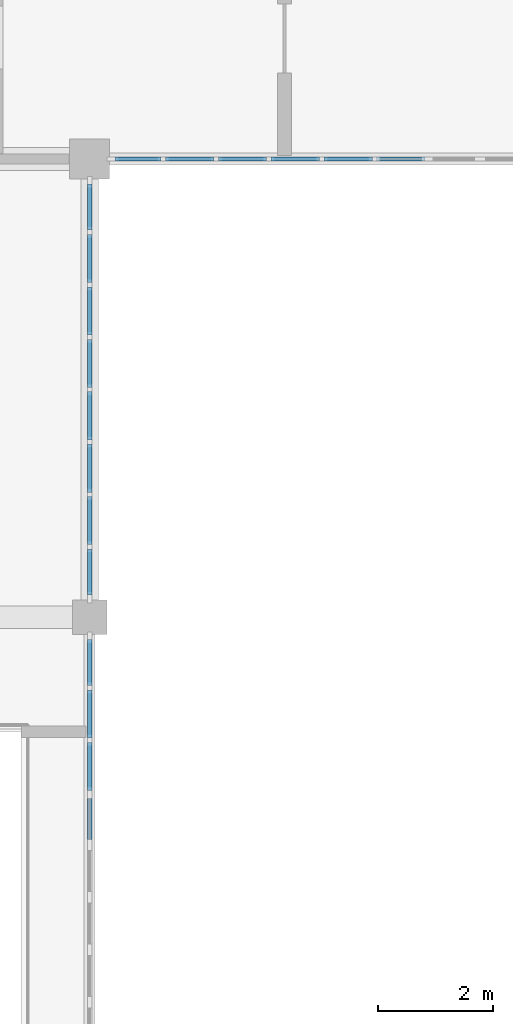
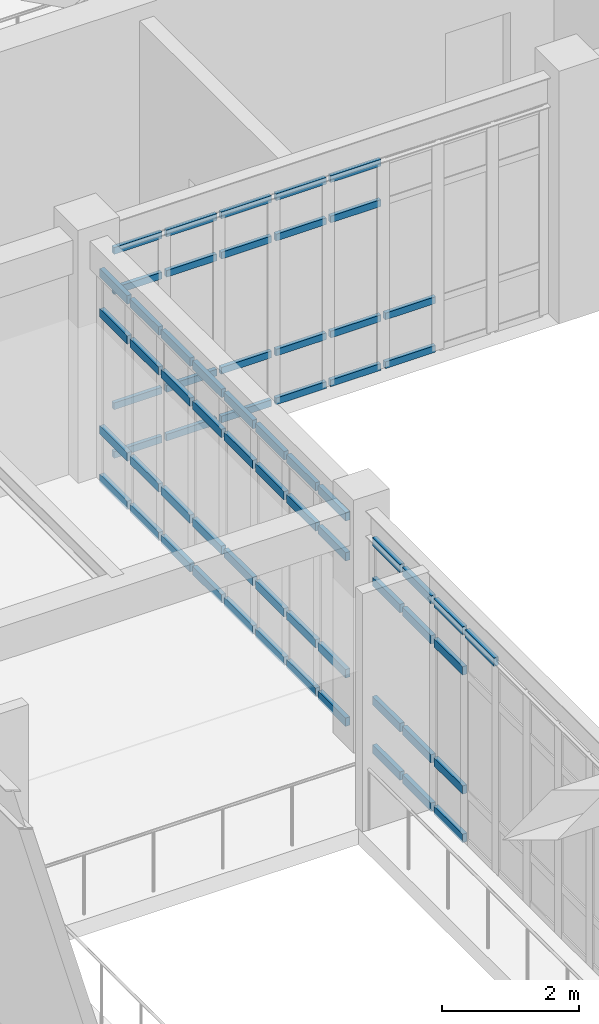
# One storey, part 27 of 67: 67 members, 3 elements without a shape of their own.
"""IFC4 building model written with IfcOpenShell, lengths in metres."""

from ifc_helpers import new_model, si_unit, direction, frame, origin, origin_2d, place, context, subcontext, project, spatial, rectangle, extrude, material, material_profile, profile_set, type_object, element, aggregate, save


model = new_model("IFC4")

# Units and contexts
model_context = context("Model", 3, precision=1e-05, world=origin(), true_north=direction((0.0, 1.0)))
body_context = subcontext(model_context, "Body", "Model", "MODEL_VIEW")
ifc_project = project(units=[si_unit("LENGTHUNIT", "METRE"), si_unit("AREAUNIT", "SQUARE_METRE"), si_unit("VOLUMEUNIT", "CUBIC_METRE"), si_unit("PLANEANGLEUNIT", "RADIAN"), si_unit("MASSUNIT", "GRAM", prefix="KILO")], contexts=[model_context])

# Site, building, storey
site_placement = place(None, origin())
site = spatial("IfcSite", under=ifc_project, at=site_placement, CompositionType="ELEMENT")
building_placement = place(site_placement, origin())
building = spatial("IfcBuilding", under=site, at=building_placement, Name="Tarnveldt Square Police Headquarters", CompositionType="ELEMENT")
storey_placement = place(building_placement, frame((0.0, 0.0, 10.199951171875)))
storey = spatial("IfcBuildingStorey", under=building, at=storey_placement, Name="L02", CompositionType="ELEMENT", Elevation=10.199951171875)

# Curtain wall, members
ifc_material_1 = material(Name="Triple-glazed low-e laminated vision glass", Category="glass")
curtain_wall_type_1 = type_object("IfcCurtainWallType", Name="CW-LB-737x370", PredefinedType="USERDEFINED", material=ifc_material_1)
curtain_wall_1_placement = place(storey_placement, origin())
curtain_wall_1 = element("IfcCurtainWall", 1, at=curtain_wall_1_placement, inside=storey, type_object=curtain_wall_type_1, Name="L02 Curtain Wall CW-L02-112", ObjectType="GLAZED CURTAIN WALL", PredefinedType="USERDEFINED")
ifc_material_2 = material(Name="Thermally broken anodised aluminium 6063-T6", Category="aluminium")
ifc_material_profile_1 = material_profile(ifc_material_2, rectangle(XDim=0.06494140625, YDim=0.1201171875, at=origin_2d()), Name="CW-T65x120")
ifc_profile_set_1 = profile_set([ifc_material_profile_1], Name="Thermally broken anodised aluminium 6063-T6")
member_type_1 = type_object("IfcMemberType", Name="CWT-65x120", PredefinedType="USERDEFINED", material=ifc_profile_set_1)
member_1_placement = place(storey_placement, frame((49.0400390625, 96.0, 0.032470703125), z_axis=(1.0, 0.0, 0.0), x_axis=(0.0, 1.0, 0.0)))
member_1 = element("IfcMember", 2, at=member_1_placement, type_object=member_type_1, Name="CW-LB65 transom 1.1", ObjectType="TRANSOM", PredefinedType="USERDEFINED", context=body_context, shape_type="SweptSolid", body=[
    extrude(rectangle(XDim=0.06494140625, YDim=0.1201171875, at=origin_2d()), origin(), (0.0, 0.0, 1.0), 0.80859375),
])
member_2_placement = place(storey_placement, frame((49.0400390625, 96.0, 0.900146484375), z_axis=(1.0, 0.0, 0.0), x_axis=(0.0, 1.0, 0.0)))
member_2 = element("IfcMember", 3, at=member_2_placement, type_object=member_type_1, Name="CW-LB65 transom 1.2", ObjectType="TRANSOM", PredefinedType="USERDEFINED", context=body_context, shape_type="SweptSolid", body=[
    extrude(rectangle(XDim=0.06494140625, YDim=0.1201171875, at=origin_2d()), origin(), (0.0, 0.0, 1.0), 0.80859375),
])
member_3_placement = place(storey_placement, frame((49.0400390625, 96.0, 2.948974609375), z_axis=(1.0, 0.0, 0.0), x_axis=(0.0, 1.0, 0.0)))
member_3 = element("IfcMember", 4, at=member_3_placement, type_object=member_type_1, Name="CW-LB65 transom 1.3", ObjectType="TRANSOM", PredefinedType="USERDEFINED", context=body_context, shape_type="SweptSolid", body=[
    extrude(rectangle(XDim=0.06494140625, YDim=0.1201171875, at=origin_2d()), origin(), (0.0, 0.0, 1.0), 0.80859375),
])
member_4_placement = place(storey_placement, frame((49.0400390625, 96.0, 3.66650390625), z_axis=(1.0, 0.0, 0.0), x_axis=(0.0, 1.0, 0.0)))
member_4 = element("IfcMember", 5, at=member_4_placement, type_object=member_type_1, Name="CW-LB65 transom 1.4", ObjectType="TRANSOM", PredefinedType="USERDEFINED", context=body_context, shape_type="SweptSolid", body=[
    extrude(rectangle(XDim=0.06494140625, YDim=0.1201171875, at=origin_2d()), origin(), (0.0, 0.0, 1.0), 0.80859375),
])
member_5_placement = place(storey_placement, frame((49.923828125, 96.0, 0.032470703125), z_axis=(1.0, 0.0, 0.0), x_axis=(0.0, 1.0, 0.0)))
member_5 = element("IfcMember", 6, at=member_5_placement, type_object=member_type_1, Name="CW-LB65 transom 2.1", ObjectType="TRANSOM", PredefinedType="USERDEFINED", context=body_context, shape_type="SweptSolid", body=[
    extrude(rectangle(XDim=0.06494140625, YDim=0.1201171875, at=origin_2d()), origin(), (0.0, 0.0, 1.0), 0.84619140625),
])
member_6_placement = place(storey_placement, frame((49.923828125, 96.0, 0.900146484375), z_axis=(1.0, 0.0, 0.0), x_axis=(0.0, 1.0, 0.0)))
member_6 = element("IfcMember", 7, at=member_6_placement, type_object=member_type_1, Name="CW-LB65 transom 2.2", ObjectType="TRANSOM", PredefinedType="USERDEFINED", context=body_context, shape_type="SweptSolid", body=[
    extrude(rectangle(XDim=0.06494140625, YDim=0.1201171875, at=origin_2d()), origin(), (0.0, 0.0, 1.0), 0.84619140625),
])
member_7_placement = place(storey_placement, frame((49.923828125, 96.0, 2.948974609375), z_axis=(1.0, 0.0, 0.0), x_axis=(0.0, 1.0, 0.0)))
member_7 = element("IfcMember", 8, at=member_7_placement, type_object=member_type_1, Name="CW-LB65 transom 2.3", ObjectType="TRANSOM", PredefinedType="USERDEFINED", context=body_context, shape_type="SweptSolid", body=[
    extrude(rectangle(XDim=0.06494140625, YDim=0.1201171875, at=origin_2d()), origin(), (0.0, 0.0, 1.0), 0.84619140625),
])
member_8_placement = place(storey_placement, frame((49.923828125, 96.0, 3.66650390625), z_axis=(1.0, 0.0, 0.0), x_axis=(0.0, 1.0, 0.0)))
member_8 = element("IfcMember", 9, at=member_8_placement, type_object=member_type_1, Name="CW-LB65 transom 2.4", ObjectType="TRANSOM", PredefinedType="USERDEFINED", context=body_context, shape_type="SweptSolid", body=[
    extrude(rectangle(XDim=0.06494140625, YDim=0.1201171875, at=origin_2d()), origin(), (0.0, 0.0, 1.0), 0.84619140625),
])
member_9_placement = place(storey_placement, frame((50.844970703125, 96.0, 0.032470703125), z_axis=(1.0, 0.0, 0.0), x_axis=(0.0, 1.0, 0.0)))
member_9 = element("IfcMember", 10, at=member_9_placement, type_object=member_type_1, Name="CW-LB65 transom 3.1", ObjectType="TRANSOM", PredefinedType="USERDEFINED", context=body_context, shape_type="SweptSolid", body=[
    extrude(rectangle(XDim=0.06494140625, YDim=0.1201171875, at=origin_2d()), origin(), (0.0, 0.0, 1.0), 0.84619140625),
])
member_10_placement = place(storey_placement, frame((50.844970703125, 96.0, 0.900146484375), z_axis=(1.0, 0.0, 0.0), x_axis=(0.0, 1.0, 0.0)))
member_10 = element("IfcMember", 11, at=member_10_placement, type_object=member_type_1, Name="CW-LB65 transom 3.2", ObjectType="TRANSOM", PredefinedType="USERDEFINED", context=body_context, shape_type="SweptSolid", body=[
    extrude(rectangle(XDim=0.06494140625, YDim=0.1201171875, at=origin_2d()), origin(), (0.0, 0.0, 1.0), 0.84619140625),
])
member_11_placement = place(storey_placement, frame((50.844970703125, 96.0, 2.948974609375), z_axis=(1.0, 0.0, 0.0), x_axis=(0.0, 1.0, 0.0)))
member_11 = element("IfcMember", 12, at=member_11_placement, type_object=member_type_1, Name="CW-LB65 transom 3.3", ObjectType="TRANSOM", PredefinedType="USERDEFINED", context=body_context, shape_type="SweptSolid", body=[
    extrude(rectangle(XDim=0.06494140625, YDim=0.1201171875, at=origin_2d()), origin(), (0.0, 0.0, 1.0), 0.84619140625),
])
member_12_placement = place(storey_placement, frame((50.844970703125, 96.0, 3.66650390625), z_axis=(1.0, 0.0, 0.0), x_axis=(0.0, 1.0, 0.0)))
member_12 = element("IfcMember", 13, at=member_12_placement, type_object=member_type_1, Name="CW-LB65 transom 3.4", ObjectType="TRANSOM", PredefinedType="USERDEFINED", context=body_context, shape_type="SweptSolid", body=[
    extrude(rectangle(XDim=0.06494140625, YDim=0.1201171875, at=origin_2d()), origin(), (0.0, 0.0, 1.0), 0.84619140625),
])
member_13_placement = place(storey_placement, frame((51.766357421875, 96.0, 0.032470703125), z_axis=(1.0, 0.0, 0.0), x_axis=(0.0, 1.0, 0.0)))
member_13 = element("IfcMember", 14, at=member_13_placement, type_object=member_type_1, Name="CW-LB65 transom 4.1", ObjectType="TRANSOM", PredefinedType="USERDEFINED", context=body_context, shape_type="SweptSolid", body=[
    extrude(rectangle(XDim=0.06494140625, YDim=0.1201171875, at=origin_2d()), origin(), (0.0, 0.0, 1.0), 0.84619140625),
])
member_14_placement = place(storey_placement, frame((51.766357421875, 96.0, 0.900146484375), z_axis=(1.0, 0.0, 0.0), x_axis=(0.0, 1.0, 0.0)))
member_14 = element("IfcMember", 15, at=member_14_placement, type_object=member_type_1, Name="CW-LB65 transom 4.2", ObjectType="TRANSOM", PredefinedType="USERDEFINED", context=body_context, shape_type="SweptSolid", body=[
    extrude(rectangle(XDim=0.06494140625, YDim=0.1201171875, at=origin_2d()), origin(), (0.0, 0.0, 1.0), 0.84619140625),
])
member_15_placement = place(storey_placement, frame((51.766357421875, 96.0, 2.948974609375), z_axis=(1.0, 0.0, 0.0), x_axis=(0.0, 1.0, 0.0)))
member_15 = element("IfcMember", 16, at=member_15_placement, type_object=member_type_1, Name="CW-LB65 transom 4.3", ObjectType="TRANSOM", PredefinedType="USERDEFINED", context=body_context, shape_type="SweptSolid", body=[
    extrude(rectangle(XDim=0.06494140625, YDim=0.1201171875, at=origin_2d()), origin(), (0.0, 0.0, 1.0), 0.84619140625),
])
member_16_placement = place(storey_placement, frame((51.766357421875, 96.0, 3.66650390625), z_axis=(1.0, 0.0, 0.0), x_axis=(0.0, 1.0, 0.0)))
member_16 = element("IfcMember", 17, at=member_16_placement, type_object=member_type_1, Name="CW-LB65 transom 4.4", ObjectType="TRANSOM", PredefinedType="USERDEFINED", context=body_context, shape_type="SweptSolid", body=[
    extrude(rectangle(XDim=0.06494140625, YDim=0.1201171875, at=origin_2d()), origin(), (0.0, 0.0, 1.0), 0.84619140625),
])
member_17_placement = place(storey_placement, frame((52.6875, 96.0, 0.032470703125), z_axis=(1.0, 0.0, 0.0), x_axis=(0.0, 1.0, 0.0)))
member_17 = element("IfcMember", 18, at=member_17_placement, type_object=member_type_1, Name="CW-LB65 transom 5.1", ObjectType="TRANSOM", PredefinedType="USERDEFINED", context=body_context, shape_type="SweptSolid", body=[
    extrude(rectangle(XDim=0.06494140625, YDim=0.1201171875, at=origin_2d()), origin(), (0.0, 0.0, 1.0), 0.84619140625),
])
member_18_placement = place(storey_placement, frame((52.6875, 96.0, 0.900146484375), z_axis=(1.0, 0.0, 0.0), x_axis=(0.0, 1.0, 0.0)))
member_18 = element("IfcMember", 19, at=member_18_placement, type_object=member_type_1, Name="CW-LB65 transom 5.2", ObjectType="TRANSOM", PredefinedType="USERDEFINED", context=body_context, shape_type="SweptSolid", body=[
    extrude(rectangle(XDim=0.06494140625, YDim=0.1201171875, at=origin_2d()), origin(), (0.0, 0.0, 1.0), 0.84619140625),
])
member_19_placement = place(storey_placement, frame((52.6875, 96.0, 2.948974609375), z_axis=(1.0, 0.0, 0.0), x_axis=(0.0, 1.0, 0.0)))
member_19 = element("IfcMember", 20, at=member_19_placement, type_object=member_type_1, Name="CW-LB65 transom 5.3", ObjectType="TRANSOM", PredefinedType="USERDEFINED", context=body_context, shape_type="SweptSolid", body=[
    extrude(rectangle(XDim=0.06494140625, YDim=0.1201171875, at=origin_2d()), origin(), (0.0, 0.0, 1.0), 0.84619140625),
])
member_20_placement = place(storey_placement, frame((52.6875, 96.0, 3.66650390625), z_axis=(1.0, 0.0, 0.0), x_axis=(0.0, 1.0, 0.0)))
member_20 = element("IfcMember", 21, at=member_20_placement, type_object=member_type_1, Name="CW-LB65 transom 5.4", ObjectType="TRANSOM", PredefinedType="USERDEFINED", context=body_context, shape_type="SweptSolid", body=[
    extrude(rectangle(XDim=0.06494140625, YDim=0.1201171875, at=origin_2d()), origin(), (0.0, 0.0, 1.0), 0.84619140625),
])
member_21_placement = place(storey_placement, frame((53.608642578125, 96.0, 0.032470703125), z_axis=(1.0, 0.0, 0.0), x_axis=(0.0, 1.0, 0.0)))
member_21 = element("IfcMember", 22, at=member_21_placement, type_object=member_type_1, Name="CW-LB65 transom 6.1", ObjectType="TRANSOM", PredefinedType="USERDEFINED", context=body_context, shape_type="SweptSolid", body=[
    extrude(rectangle(XDim=0.06494140625, YDim=0.1201171875, at=origin_2d()), origin(), (0.0, 0.0, 1.0), 0.846435546875),
])
member_22_placement = place(storey_placement, frame((53.608642578125, 96.0, 0.900146484375), z_axis=(1.0, 0.0, 0.0), x_axis=(0.0, 1.0, 0.0)))
member_22 = element("IfcMember", 23, at=member_22_placement, type_object=member_type_1, Name="CW-LB65 transom 6.2", ObjectType="TRANSOM", PredefinedType="USERDEFINED", context=body_context, shape_type="SweptSolid", body=[
    extrude(rectangle(XDim=0.06494140625, YDim=0.1201171875, at=origin_2d()), origin(), (0.0, 0.0, 1.0), 0.846435546875),
])
aggregate(curtain_wall_1, [member_1, member_2, member_3, member_4, member_5, member_6, member_7, member_8, member_9, member_10, member_11, member_12, member_13, member_14, member_15, member_16, member_17, member_18, member_19, member_20, member_21, member_22])

curtain_wall_type_2 = type_object("IfcCurtainWallType", Name="CW-WG-732x377", PredefinedType="USERDEFINED", material=ifc_material_1)
curtain_wall_2_placement = place(storey_placement, origin())
curtain_wall_2 = element("IfcCurtainWall", 24, at=curtain_wall_2_placement, inside=storey, type_object=curtain_wall_type_2, Name="L02 Curtain Wall CW-L02-076", ObjectType="GLAZED CURTAIN WALL", PredefinedType="USERDEFINED")
ifc_material_profile_2 = material_profile(ifc_material_2, rectangle(XDim=0.074951171875, YDim=0.14990234375, at=origin_2d()), Name="CW-T75x150")
ifc_profile_set_2 = profile_set([ifc_material_profile_2], Name="Thermally broken anodised aluminium 6063-T6")
member_type_2 = type_object("IfcMemberType", Name="CWT-75x150", PredefinedType="USERDEFINED", material=ifc_profile_set_2)
member_23_placement = place(storey_placement, frame((48.60009765625, 84.0625, 3.7314453125), z_axis=(0.0, 1.0, 0.0), x_axis=(-1.0, 0.0, 0.0)))
member_23 = element("IfcMember", 25, at=member_23_placement, type_object=member_type_2, Name="CW-WG36 transom 5.4", ObjectType="TRANSOM", PredefinedType="USERDEFINED", context=body_context, shape_type="SweptSolid", body=[
    extrude(rectangle(XDim=0.074951171875, YDim=0.14990234375, at=origin_2d()), origin(), (0.0, 0.0, 1.0), 0.840087890625),
])
member_24_placement = place(storey_placement, frame((48.60009765625, 84.9775390625, 0.03759765625), z_axis=(0.0, 1.0, 0.0), x_axis=(-1.0, 0.0, 0.0)))
member_24 = element("IfcMember", 26, at=member_24_placement, type_object=member_type_2, Name="CW-WG36 transom 6.1", ObjectType="TRANSOM", PredefinedType="USERDEFINED", context=body_context, shape_type="SweptSolid", body=[
    extrude(rectangle(XDim=0.074951171875, YDim=0.14990234375, at=origin_2d()), origin(), (0.0, 0.0, 1.0), 0.83984375),
])
member_25_placement = place(storey_placement, frame((48.60009765625, 84.9775390625, 0.900146484375), z_axis=(0.0, 1.0, 0.0), x_axis=(-1.0, 0.0, 0.0)))
member_25 = element("IfcMember", 27, at=member_25_placement, type_object=member_type_2, Name="CW-WG36 transom 6.2", ObjectType="TRANSOM", PredefinedType="USERDEFINED", context=body_context, shape_type="SweptSolid", body=[
    extrude(rectangle(XDim=0.074951171875, YDim=0.14990234375, at=origin_2d()), origin(), (0.0, 0.0, 1.0), 0.83984375),
])
member_26_placement = place(storey_placement, frame((48.60009765625, 84.9775390625, 3.01904296875), z_axis=(0.0, 1.0, 0.0), x_axis=(-1.0, 0.0, 0.0)))
member_26 = element("IfcMember", 28, at=member_26_placement, type_object=member_type_2, Name="CW-WG36 transom 6.3", ObjectType="TRANSOM", PredefinedType="USERDEFINED", context=body_context, shape_type="SweptSolid", body=[
    extrude(rectangle(XDim=0.074951171875, YDim=0.14990234375, at=origin_2d()), origin(), (0.0, 0.0, 1.0), 0.83984375),
])
member_27_placement = place(storey_placement, frame((48.60009765625, 84.9775390625, 3.7314453125), z_axis=(0.0, 1.0, 0.0), x_axis=(-1.0, 0.0, 0.0)))
member_27 = element("IfcMember", 29, at=member_27_placement, type_object=member_type_2, Name="CW-WG36 transom 6.4", ObjectType="TRANSOM", PredefinedType="USERDEFINED", context=body_context, shape_type="SweptSolid", body=[
    extrude(rectangle(XDim=0.074951171875, YDim=0.14990234375, at=origin_2d()), origin(), (0.0, 0.0, 1.0), 0.83984375),
])
member_28_placement = place(storey_placement, frame((48.60009765625, 85.892578125, 0.03759765625), z_axis=(0.0, 1.0, 0.0), x_axis=(-1.0, 0.0, 0.0)))
member_28 = element("IfcMember", 30, at=member_28_placement, type_object=member_type_2, Name="CW-WG36 transom 7.1", ObjectType="TRANSOM", PredefinedType="USERDEFINED", context=body_context, shape_type="SweptSolid", body=[
    extrude(rectangle(XDim=0.074951171875, YDim=0.14990234375, at=origin_2d()), origin(), (0.0, 0.0, 1.0), 0.83984375),
])
member_29_placement = place(storey_placement, frame((48.60009765625, 85.892578125, 0.900146484375), z_axis=(0.0, 1.0, 0.0), x_axis=(-1.0, 0.0, 0.0)))
member_29 = element("IfcMember", 31, at=member_29_placement, type_object=member_type_2, Name="CW-WG36 transom 7.2", ObjectType="TRANSOM", PredefinedType="USERDEFINED", context=body_context, shape_type="SweptSolid", body=[
    extrude(rectangle(XDim=0.074951171875, YDim=0.14990234375, at=origin_2d()), origin(), (0.0, 0.0, 1.0), 0.83984375),
])
member_30_placement = place(storey_placement, frame((48.60009765625, 85.892578125, 3.01904296875), z_axis=(0.0, 1.0, 0.0), x_axis=(-1.0, 0.0, 0.0)))
member_30 = element("IfcMember", 32, at=member_30_placement, type_object=member_type_2, Name="CW-WG36 transom 7.3", ObjectType="TRANSOM", PredefinedType="USERDEFINED", context=body_context, shape_type="SweptSolid", body=[
    extrude(rectangle(XDim=0.074951171875, YDim=0.14990234375, at=origin_2d()), origin(), (0.0, 0.0, 1.0), 0.83984375),
])
member_31_placement = place(storey_placement, frame((48.60009765625, 85.892578125, 3.7314453125), z_axis=(0.0, 1.0, 0.0), x_axis=(-1.0, 0.0, 0.0)))
member_31 = element("IfcMember", 33, at=member_31_placement, type_object=member_type_2, Name="CW-WG36 transom 7.4", ObjectType="TRANSOM", PredefinedType="USERDEFINED", context=body_context, shape_type="SweptSolid", body=[
    extrude(rectangle(XDim=0.074951171875, YDim=0.14990234375, at=origin_2d()), origin(), (0.0, 0.0, 1.0), 0.83984375),
])
member_32_placement = place(storey_placement, frame((48.60009765625, 86.8076171875, 0.03759765625), z_axis=(0.0, 1.0, 0.0), x_axis=(-1.0, 0.0, 0.0)))
member_32 = element("IfcMember", 34, at=member_32_placement, type_object=member_type_2, Name="CW-WG36 transom 8.1", ObjectType="TRANSOM", PredefinedType="USERDEFINED", context=body_context, shape_type="SweptSolid", body=[
    extrude(rectangle(XDim=0.074951171875, YDim=0.14990234375, at=origin_2d()), origin(), (0.0, 0.0, 1.0), 0.802490234375),
])
member_33_placement = place(storey_placement, frame((48.60009765625, 86.8076171875, 0.900146484375), z_axis=(0.0, 1.0, 0.0), x_axis=(-1.0, 0.0, 0.0)))
member_33 = element("IfcMember", 35, at=member_33_placement, type_object=member_type_2, Name="CW-WG36 transom 8.2", ObjectType="TRANSOM", PredefinedType="USERDEFINED", context=body_context, shape_type="SweptSolid", body=[
    extrude(rectangle(XDim=0.074951171875, YDim=0.14990234375, at=origin_2d()), origin(), (0.0, 0.0, 1.0), 0.802490234375),
])
member_34_placement = place(storey_placement, frame((48.60009765625, 86.8076171875, 3.01904296875), z_axis=(0.0, 1.0, 0.0), x_axis=(-1.0, 0.0, 0.0)))
member_34 = element("IfcMember", 36, at=member_34_placement, type_object=member_type_2, Name="CW-WG36 transom 8.3", ObjectType="TRANSOM", PredefinedType="USERDEFINED", context=body_context, shape_type="SweptSolid", body=[
    extrude(rectangle(XDim=0.074951171875, YDim=0.14990234375, at=origin_2d()), origin(), (0.0, 0.0, 1.0), 0.802490234375),
])
member_35_placement = place(storey_placement, frame((48.60009765625, 86.8076171875, 3.7314453125), z_axis=(0.0, 1.0, 0.0), x_axis=(-1.0, 0.0, 0.0)))
member_35 = element("IfcMember", 37, at=member_35_placement, type_object=member_type_2, Name="CW-WG36 transom 8.4", ObjectType="TRANSOM", PredefinedType="USERDEFINED", context=body_context, shape_type="SweptSolid", body=[
    extrude(rectangle(XDim=0.074951171875, YDim=0.14990234375, at=origin_2d()), origin(), (0.0, 0.0, 1.0), 0.802490234375),
])
aggregate(curtain_wall_2, [member_23, member_24, member_25, member_26, member_27, member_28, member_29, member_30, member_31, member_32, member_33, member_34, member_35])

curtain_wall_type_3 = type_object("IfcCurtainWallType", Name="CW-WG-732x373", PredefinedType="USERDEFINED", material=ifc_material_1)
curtain_wall_3_placement = place(storey_placement, origin())
curtain_wall_3 = element("IfcCurtainWall", 38, at=curtain_wall_3_placement, inside=storey, type_object=curtain_wall_type_3, Name="L02 Curtain Wall CW-L02-077", ObjectType="GLAZED CURTAIN WALL", PredefinedType="USERDEFINED")
member_36_placement = place(storey_placement, frame((48.60009765625, 88.389892578125, 0.03759765625), z_axis=(0.0, 1.0, 0.0), x_axis=(-1.0, 0.0, 0.0)))
member_36 = element("IfcMember", 39, at=member_36_placement, type_object=member_type_2, Name="CW-WG37 transom 1.1", ObjectType="TRANSOM", PredefinedType="USERDEFINED", context=body_context, shape_type="SweptSolid", body=[
    extrude(rectangle(XDim=0.074951171875, YDim=0.14990234375, at=origin_2d()), origin(), (0.0, 0.0, 1.0), 0.802490234375),
])
member_37_placement = place(storey_placement, frame((48.60009765625, 88.389892578125, 0.900146484375), z_axis=(0.0, 1.0, 0.0), x_axis=(-1.0, 0.0, 0.0)))
member_37 = element("IfcMember", 40, at=member_37_placement, type_object=member_type_2, Name="CW-WG37 transom 1.2", ObjectType="TRANSOM", PredefinedType="USERDEFINED", context=body_context, shape_type="SweptSolid", body=[
    extrude(rectangle(XDim=0.074951171875, YDim=0.14990234375, at=origin_2d()), origin(), (0.0, 0.0, 1.0), 0.802490234375),
])
member_38_placement = place(storey_placement, frame((48.60009765625, 88.389892578125, 2.98193359375), z_axis=(0.0, 1.0, 0.0), x_axis=(-1.0, 0.0, 0.0)))
member_38 = element("IfcMember", 41, at=member_38_placement, type_object=member_type_2, Name="CW-WG37 transom 1.3", ObjectType="TRANSOM", PredefinedType="USERDEFINED", context=body_context, shape_type="SweptSolid", body=[
    extrude(rectangle(XDim=0.074951171875, YDim=0.14990234375, at=origin_2d()), origin(), (0.0, 0.0, 1.0), 0.802490234375),
])
member_39_placement = place(storey_placement, frame((48.60009765625, 88.389892578125, 3.694580078125), z_axis=(0.0, 1.0, 0.0), x_axis=(-1.0, 0.0, 0.0)))
member_39 = element("IfcMember", 42, at=member_39_placement, type_object=member_type_2, Name="CW-WG37 transom 1.4", ObjectType="TRANSOM", PredefinedType="USERDEFINED", context=body_context, shape_type="SweptSolid", body=[
    extrude(rectangle(XDim=0.074951171875, YDim=0.14990234375, at=origin_2d()), origin(), (0.0, 0.0, 1.0), 0.802490234375),
])
member_40_placement = place(storey_placement, frame((48.60009765625, 89.267578125, 0.03759765625), z_axis=(0.0, 1.0, 0.0), x_axis=(-1.0, 0.0, 0.0)))
member_40 = element("IfcMember", 43, at=member_40_placement, type_object=member_type_2, Name="CW-WG37 transom 2.1", ObjectType="TRANSOM", PredefinedType="USERDEFINED", context=body_context, shape_type="SweptSolid", body=[
    extrude(rectangle(XDim=0.074951171875, YDim=0.14990234375, at=origin_2d()), origin(), (0.0, 0.0, 1.0), 0.83984375),
])
member_41_placement = place(storey_placement, frame((48.60009765625, 89.267578125, 0.900146484375), z_axis=(0.0, 1.0, 0.0), x_axis=(-1.0, 0.0, 0.0)))
member_41 = element("IfcMember", 44, at=member_41_placement, type_object=member_type_2, Name="CW-WG37 transom 2.2", ObjectType="TRANSOM", PredefinedType="USERDEFINED", context=body_context, shape_type="SweptSolid", body=[
    extrude(rectangle(XDim=0.074951171875, YDim=0.14990234375, at=origin_2d()), origin(), (0.0, 0.0, 1.0), 0.83984375),
])
member_42_placement = place(storey_placement, frame((48.60009765625, 89.267578125, 2.98193359375), z_axis=(0.0, 1.0, 0.0), x_axis=(-1.0, 0.0, 0.0)))
member_42 = element("IfcMember", 45, at=member_42_placement, type_object=member_type_2, Name="CW-WG37 transom 2.3", ObjectType="TRANSOM", PredefinedType="USERDEFINED", context=body_context, shape_type="SweptSolid", body=[
    extrude(rectangle(XDim=0.074951171875, YDim=0.14990234375, at=origin_2d()), origin(), (0.0, 0.0, 1.0), 0.83984375),
])
member_43_placement = place(storey_placement, frame((48.60009765625, 89.267578125, 3.694580078125), z_axis=(0.0, 1.0, 0.0), x_axis=(-1.0, 0.0, 0.0)))
member_43 = element("IfcMember", 46, at=member_43_placement, type_object=member_type_2, Name="CW-WG37 transom 2.4", ObjectType="TRANSOM", PredefinedType="USERDEFINED", context=body_context, shape_type="SweptSolid", body=[
    extrude(rectangle(XDim=0.074951171875, YDim=0.14990234375, at=origin_2d()), origin(), (0.0, 0.0, 1.0), 0.83984375),
])
member_44_placement = place(storey_placement, frame((48.60009765625, 90.1826171875, 0.03759765625), z_axis=(0.0, 1.0, 0.0), x_axis=(-1.0, 0.0, 0.0)))
member_44 = element("IfcMember", 47, at=member_44_placement, type_object=member_type_2, Name="CW-WG37 transom 3.1", ObjectType="TRANSOM", PredefinedType="USERDEFINED", context=body_context, shape_type="SweptSolid", body=[
    extrude(rectangle(XDim=0.074951171875, YDim=0.14990234375, at=origin_2d()), origin(), (0.0, 0.0, 1.0), 0.83984375),
])
member_45_placement = place(storey_placement, frame((48.60009765625, 90.1826171875, 0.900146484375), z_axis=(0.0, 1.0, 0.0), x_axis=(-1.0, 0.0, 0.0)))
member_45 = element("IfcMember", 48, at=member_45_placement, type_object=member_type_2, Name="CW-WG37 transom 3.2", ObjectType="TRANSOM", PredefinedType="USERDEFINED", context=body_context, shape_type="SweptSolid", body=[
    extrude(rectangle(XDim=0.074951171875, YDim=0.14990234375, at=origin_2d()), origin(), (0.0, 0.0, 1.0), 0.83984375),
])
member_46_placement = place(storey_placement, frame((48.60009765625, 90.1826171875, 2.98193359375), z_axis=(0.0, 1.0, 0.0), x_axis=(-1.0, 0.0, 0.0)))
member_46 = element("IfcMember", 49, at=member_46_placement, type_object=member_type_2, Name="CW-WG37 transom 3.3", ObjectType="TRANSOM", PredefinedType="USERDEFINED", context=body_context, shape_type="SweptSolid", body=[
    extrude(rectangle(XDim=0.074951171875, YDim=0.14990234375, at=origin_2d()), origin(), (0.0, 0.0, 1.0), 0.83984375),
])
member_47_placement = place(storey_placement, frame((48.60009765625, 90.1826171875, 3.694580078125), z_axis=(0.0, 1.0, 0.0), x_axis=(-1.0, 0.0, 0.0)))
member_47 = element("IfcMember", 50, at=member_47_placement, type_object=member_type_2, Name="CW-WG37 transom 3.4", ObjectType="TRANSOM", PredefinedType="USERDEFINED", context=body_context, shape_type="SweptSolid", body=[
    extrude(rectangle(XDim=0.074951171875, YDim=0.14990234375, at=origin_2d()), origin(), (0.0, 0.0, 1.0), 0.83984375),
])
member_48_placement = place(storey_placement, frame((48.60009765625, 91.097412109375, 0.03759765625), z_axis=(0.0, 1.0, 0.0), x_axis=(-1.0, 0.0, 0.0)))
member_48 = element("IfcMember", 51, at=member_48_placement, type_object=member_type_2, Name="CW-WG37 transom 4.1", ObjectType="TRANSOM", PredefinedType="USERDEFINED", context=body_context, shape_type="SweptSolid", body=[
    extrude(rectangle(XDim=0.074951171875, YDim=0.14990234375, at=origin_2d()), origin(), (0.0, 0.0, 1.0), 0.840087890625),
])
member_49_placement = place(storey_placement, frame((48.60009765625, 91.097412109375, 0.900146484375), z_axis=(0.0, 1.0, 0.0), x_axis=(-1.0, 0.0, 0.0)))
member_49 = element("IfcMember", 52, at=member_49_placement, type_object=member_type_2, Name="CW-WG37 transom 4.2", ObjectType="TRANSOM", PredefinedType="USERDEFINED", context=body_context, shape_type="SweptSolid", body=[
    extrude(rectangle(XDim=0.074951171875, YDim=0.14990234375, at=origin_2d()), origin(), (0.0, 0.0, 1.0), 0.840087890625),
])
member_50_placement = place(storey_placement, frame((48.60009765625, 91.097412109375, 2.98193359375), z_axis=(0.0, 1.0, 0.0), x_axis=(-1.0, 0.0, 0.0)))
member_50 = element("IfcMember", 53, at=member_50_placement, type_object=member_type_2, Name="CW-WG37 transom 4.3", ObjectType="TRANSOM", PredefinedType="USERDEFINED", context=body_context, shape_type="SweptSolid", body=[
    extrude(rectangle(XDim=0.074951171875, YDim=0.14990234375, at=origin_2d()), origin(), (0.0, 0.0, 1.0), 0.840087890625),
])
member_51_placement = place(storey_placement, frame((48.60009765625, 91.097412109375, 3.694580078125), z_axis=(0.0, 1.0, 0.0), x_axis=(-1.0, 0.0, 0.0)))
member_51 = element("IfcMember", 54, at=member_51_placement, type_object=member_type_2, Name="CW-WG37 transom 4.4", ObjectType="TRANSOM", PredefinedType="USERDEFINED", context=body_context, shape_type="SweptSolid", body=[
    extrude(rectangle(XDim=0.074951171875, YDim=0.14990234375, at=origin_2d()), origin(), (0.0, 0.0, 1.0), 0.840087890625),
])
member_52_placement = place(storey_placement, frame((48.60009765625, 92.012451171875, 0.03759765625), z_axis=(0.0, 1.0, 0.0), x_axis=(-1.0, 0.0, 0.0)))
member_52 = element("IfcMember", 55, at=member_52_placement, type_object=member_type_2, Name="CW-WG37 transom 5.1", ObjectType="TRANSOM", PredefinedType="USERDEFINED", context=body_context, shape_type="SweptSolid", body=[
    extrude(rectangle(XDim=0.074951171875, YDim=0.14990234375, at=origin_2d()), origin(), (0.0, 0.0, 1.0), 0.840087890625),
])
member_53_placement = place(storey_placement, frame((48.60009765625, 92.012451171875, 0.900146484375), z_axis=(0.0, 1.0, 0.0), x_axis=(-1.0, 0.0, 0.0)))
member_53 = element("IfcMember", 56, at=member_53_placement, type_object=member_type_2, Name="CW-WG37 transom 5.2", ObjectType="TRANSOM", PredefinedType="USERDEFINED", context=body_context, shape_type="SweptSolid", body=[
    extrude(rectangle(XDim=0.074951171875, YDim=0.14990234375, at=origin_2d()), origin(), (0.0, 0.0, 1.0), 0.840087890625),
])
member_54_placement = place(storey_placement, frame((48.60009765625, 92.012451171875, 2.98193359375), z_axis=(0.0, 1.0, 0.0), x_axis=(-1.0, 0.0, 0.0)))
member_54 = element("IfcMember", 57, at=member_54_placement, type_object=member_type_2, Name="CW-WG37 transom 5.3", ObjectType="TRANSOM", PredefinedType="USERDEFINED", context=body_context, shape_type="SweptSolid", body=[
    extrude(rectangle(XDim=0.074951171875, YDim=0.14990234375, at=origin_2d()), origin(), (0.0, 0.0, 1.0), 0.840087890625),
])
member_55_placement = place(storey_placement, frame((48.60009765625, 92.012451171875, 3.694580078125), z_axis=(0.0, 1.0, 0.0), x_axis=(-1.0, 0.0, 0.0)))
member_55 = element("IfcMember", 58, at=member_55_placement, type_object=member_type_2, Name="CW-WG37 transom 5.4", ObjectType="TRANSOM", PredefinedType="USERDEFINED", context=body_context, shape_type="SweptSolid", body=[
    extrude(rectangle(XDim=0.074951171875, YDim=0.14990234375, at=origin_2d()), origin(), (0.0, 0.0, 1.0), 0.840087890625),
])
member_56_placement = place(storey_placement, frame((48.60009765625, 92.927490234375, 0.03759765625), z_axis=(0.0, 1.0, 0.0), x_axis=(-1.0, 0.0, 0.0)))
member_56 = element("IfcMember", 59, at=member_56_placement, type_object=member_type_2, Name="CW-WG37 transom 6.1", ObjectType="TRANSOM", PredefinedType="USERDEFINED", context=body_context, shape_type="SweptSolid", body=[
    extrude(rectangle(XDim=0.074951171875, YDim=0.14990234375, at=origin_2d()), origin(), (0.0, 0.0, 1.0), 0.840087890625),
])
member_57_placement = place(storey_placement, frame((48.60009765625, 92.927490234375, 0.900146484375), z_axis=(0.0, 1.0, 0.0), x_axis=(-1.0, 0.0, 0.0)))
member_57 = element("IfcMember", 60, at=member_57_placement, type_object=member_type_2, Name="CW-WG37 transom 6.2", ObjectType="TRANSOM", PredefinedType="USERDEFINED", context=body_context, shape_type="SweptSolid", body=[
    extrude(rectangle(XDim=0.074951171875, YDim=0.14990234375, at=origin_2d()), origin(), (0.0, 0.0, 1.0), 0.840087890625),
])
member_58_placement = place(storey_placement, frame((48.60009765625, 92.927490234375, 2.98193359375), z_axis=(0.0, 1.0, 0.0), x_axis=(-1.0, 0.0, 0.0)))
member_58 = element("IfcMember", 61, at=member_58_placement, type_object=member_type_2, Name="CW-WG37 transom 6.3", ObjectType="TRANSOM", PredefinedType="USERDEFINED", context=body_context, shape_type="SweptSolid", body=[
    extrude(rectangle(XDim=0.074951171875, YDim=0.14990234375, at=origin_2d()), origin(), (0.0, 0.0, 1.0), 0.840087890625),
])
member_59_placement = place(storey_placement, frame((48.60009765625, 92.927490234375, 3.694580078125), z_axis=(0.0, 1.0, 0.0), x_axis=(-1.0, 0.0, 0.0)))
member_59 = element("IfcMember", 62, at=member_59_placement, type_object=member_type_2, Name="CW-WG37 transom 6.4", ObjectType="TRANSOM", PredefinedType="USERDEFINED", context=body_context, shape_type="SweptSolid", body=[
    extrude(rectangle(XDim=0.074951171875, YDim=0.14990234375, at=origin_2d()), origin(), (0.0, 0.0, 1.0), 0.840087890625),
])
member_60_placement = place(storey_placement, frame((48.60009765625, 93.842529296875, 0.03759765625), z_axis=(0.0, 1.0, 0.0), x_axis=(-1.0, 0.0, 0.0)))
member_60 = element("IfcMember", 63, at=member_60_placement, type_object=member_type_2, Name="CW-WG37 transom 7.1", ObjectType="TRANSOM", PredefinedType="USERDEFINED", context=body_context, shape_type="SweptSolid", body=[
    extrude(rectangle(XDim=0.074951171875, YDim=0.14990234375, at=origin_2d()), origin(), (0.0, 0.0, 1.0), 0.840087890625),
])
member_61_placement = place(storey_placement, frame((48.60009765625, 93.842529296875, 0.900146484375), z_axis=(0.0, 1.0, 0.0), x_axis=(-1.0, 0.0, 0.0)))
member_61 = element("IfcMember", 64, at=member_61_placement, type_object=member_type_2, Name="CW-WG37 transom 7.2", ObjectType="TRANSOM", PredefinedType="USERDEFINED", context=body_context, shape_type="SweptSolid", body=[
    extrude(rectangle(XDim=0.074951171875, YDim=0.14990234375, at=origin_2d()), origin(), (0.0, 0.0, 1.0), 0.840087890625),
])
member_62_placement = place(storey_placement, frame((48.60009765625, 93.842529296875, 2.98193359375), z_axis=(0.0, 1.0, 0.0), x_axis=(-1.0, 0.0, 0.0)))
member_62 = element("IfcMember", 65, at=member_62_placement, type_object=member_type_2, Name="CW-WG37 transom 7.3", ObjectType="TRANSOM", PredefinedType="USERDEFINED", context=body_context, shape_type="SweptSolid", body=[
    extrude(rectangle(XDim=0.074951171875, YDim=0.14990234375, at=origin_2d()), origin(), (0.0, 0.0, 1.0), 0.840087890625),
])
member_63_placement = place(storey_placement, frame((48.60009765625, 93.842529296875, 3.694580078125), z_axis=(0.0, 1.0, 0.0), x_axis=(-1.0, 0.0, 0.0)))
member_63 = element("IfcMember", 66, at=member_63_placement, type_object=member_type_2, Name="CW-WG37 transom 7.4", ObjectType="TRANSOM", PredefinedType="USERDEFINED", context=body_context, shape_type="SweptSolid", body=[
    extrude(rectangle(XDim=0.074951171875, YDim=0.14990234375, at=origin_2d()), origin(), (0.0, 0.0, 1.0), 0.840087890625),
])
member_64_placement = place(storey_placement, frame((48.60009765625, 94.757568359375, 0.03759765625), z_axis=(0.0, 1.0, 0.0), x_axis=(-1.0, 0.0, 0.0)))
member_64 = element("IfcMember", 67, at=member_64_placement, type_object=member_type_2, Name="CW-WG37 transom 8.1", ObjectType="TRANSOM", PredefinedType="USERDEFINED", context=body_context, shape_type="SweptSolid", body=[
    extrude(rectangle(XDim=0.074951171875, YDim=0.14990234375, at=origin_2d()), origin(), (0.0, 0.0, 1.0), 0.802490234375),
])
member_65_placement = place(storey_placement, frame((48.60009765625, 94.757568359375, 0.900146484375), z_axis=(0.0, 1.0, 0.0), x_axis=(-1.0, 0.0, 0.0)))
member_65 = element("IfcMember", 68, at=member_65_placement, type_object=member_type_2, Name="CW-WG37 transom 8.2", ObjectType="TRANSOM", PredefinedType="USERDEFINED", context=body_context, shape_type="SweptSolid", body=[
    extrude(rectangle(XDim=0.074951171875, YDim=0.14990234375, at=origin_2d()), origin(), (0.0, 0.0, 1.0), 0.802490234375),
])
member_66_placement = place(storey_placement, frame((48.60009765625, 94.757568359375, 2.98193359375), z_axis=(0.0, 1.0, 0.0), x_axis=(-1.0, 0.0, 0.0)))
member_66 = element("IfcMember", 69, at=member_66_placement, type_object=member_type_2, Name="CW-WG37 transom 8.3", ObjectType="TRANSOM", PredefinedType="USERDEFINED", context=body_context, shape_type="SweptSolid", body=[
    extrude(rectangle(XDim=0.074951171875, YDim=0.14990234375, at=origin_2d()), origin(), (0.0, 0.0, 1.0), 0.802490234375),
])
member_67_placement = place(storey_placement, frame((48.60009765625, 94.757568359375, 3.694580078125), z_axis=(0.0, 1.0, 0.0), x_axis=(-1.0, 0.0, 0.0)))
member_67 = element("IfcMember", 70, at=member_67_placement, type_object=member_type_2, Name="CW-WG37 transom 8.4", ObjectType="TRANSOM", PredefinedType="USERDEFINED", context=body_context, shape_type="SweptSolid", body=[
    extrude(rectangle(XDim=0.074951171875, YDim=0.14990234375, at=origin_2d()), origin(), (0.0, 0.0, 1.0), 0.802490234375),
])
aggregate(curtain_wall_3, [member_36, member_37, member_38, member_39, member_40, member_41, member_42, member_43, member_44, member_45, member_46, member_47, member_48, member_49, member_50, member_51, member_52, member_53, member_54, member_55, member_56, member_57, member_58, member_59, member_60, member_61, member_62, member_63, member_64, member_65, member_66, member_67])

save(model, "model.ifc")
